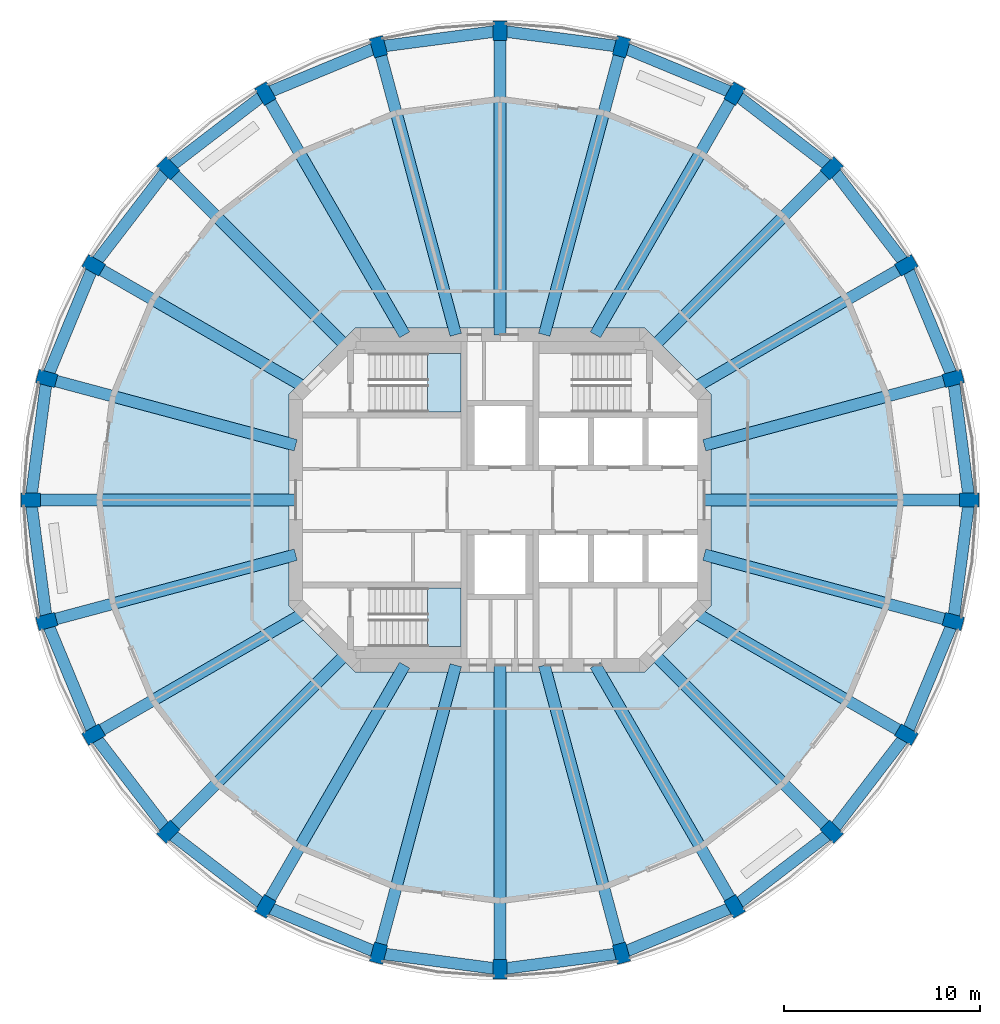
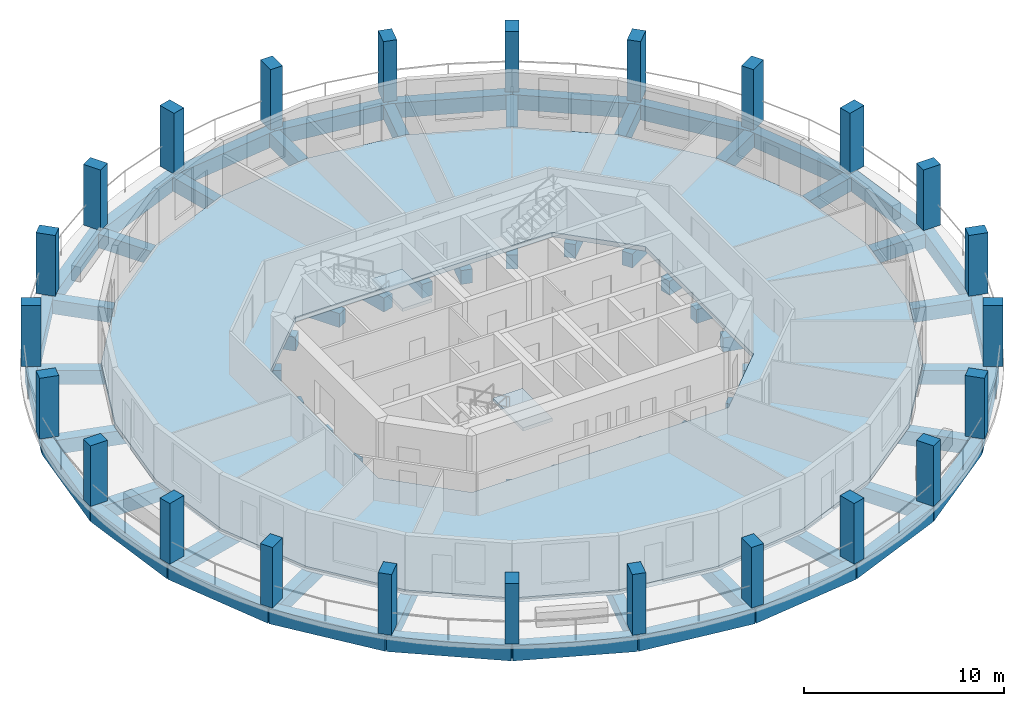
# One storey, part 1 of 9: 48 beams, 24 columns, 3 slabs, 2 elements without a shape of their own.
"""IFC4 building model written with IfcOpenShell, lengths in metres."""

from ifc_helpers import new_model, si_unit, direction, frame, origin, origin_2d, place, context, subcontext, project, spatial, polyline, rectangle, outline, extrude, material, layer, layer_set, material_profile, profile_set, type_object, element, aggregate, save


model = new_model("IFC4")

# Units and contexts
model_context = context("Model", 3, precision=1e-05, world=origin(), true_north=direction((0.0, 1.0)))
body_context = subcontext(model_context, "Body", "Model", "MODEL_VIEW")
ifc_project = project(units=[si_unit("LENGTHUNIT", "METRE"), si_unit("AREAUNIT", "SQUARE_METRE"), si_unit("VOLUMEUNIT", "CUBIC_METRE"), si_unit("PLANEANGLEUNIT", "RADIAN"), si_unit("MASSUNIT", "GRAM", prefix="KILO")], contexts=[model_context])

# Site, building, storey
site_placement = place(None, origin())
site = spatial("IfcSite", under=ifc_project, at=site_placement, CompositionType="ELEMENT")
building_placement = place(site_placement, origin())
building = spatial("IfcBuilding", under=site, at=building_placement, Name="Torre Triforio", CompositionType="ELEMENT")
storey_placement = place(building_placement, frame((0.0, 0.0, 226.10009765625)))
storey = spatial("IfcBuildingStorey", under=building, at=storey_placement, Name="L51", CompositionType="ELEMENT", Elevation=226.10009765625)

# Columns
ifc_material_1 = material(Name="Concrete C50", Category="concrete")
ifc_material_profile_1 = material_profile(ifc_material_1, rectangle(XDim=0.699951171875, YDim=1.0, at=origin_2d()), Name="RC 700x1000")
ifc_profile_set_1 = profile_set([ifc_material_profile_1], Name="Concrete C50")
column_type = type_object("IfcColumnType", Name="Pier RC 700x1000 C50", PredefinedType="COLUMN", material=ifc_profile_set_1)
for number, where, z_axis, x_axis, name in (
    (1, (24.0, 0.0, 0.0), (0.0, 0.0, 1.0), (0.0, 1.0, 0.0), "COL.R.L51.00"),
    (2, (23.18212890625, 6.211669921875, 0.0), (0.0, 0.0, 1.0), (-0.258819045103, 0.965925826289, 0.0), "COL.R.L51.01"),
    (3, (20.78466796875, 12.0, 0.0), (0.0, 0.0, 1.0), (-0.5, 0.866025403784, 0.0), "COL.R.L51.02"),
    (4, (16.970458984375, 16.970458984375, 0.0), (0.0, 0.0, 1.0), (-0.707106781187, 0.707106781187, 0.0), "COL.R.L51.03"),
    (5, (12.0, 20.78466796875, 0.0), (0.0, 0.0, 1.0), (-0.866025403784, 0.5, 0.0), "COL.R.L51.04"),
    (6, (6.211669921875, 23.18212890625, 0.0), (0.0, 0.0, 1.0), (-0.965925826289, 0.258819045103, 0.0), "COL.R.L51.05"),
    (7, (0.0, 24.0, 0.0), (0.0, 0.0, 1.0), (-1.0, 0.0, 0.0), "COL.R.L51.06"),
    (8, (-6.211669921875, 23.18212890625, 0.0), (0.0, 0.0, 1.0), (-0.965925826289, -0.258819045103, 0.0), "COL.R.L51.07"),
    (9, (-12.0, 20.78466796875, 0.0), (0.0, 0.0, 1.0), (-0.866025403784, -0.5, 0.0), "COL.R.L51.08"),
    (10, (-16.970458984375, 16.970458984375, 0.0), (0.0, 0.0, 1.0), (-0.707106781187, -0.707106781187, 0.0), "COL.R.L51.09"),
    (11, (-20.78466796875, 12.0, 0.0), (0.0, 0.0, 1.0), (-0.5, -0.866025403784, 0.0), "COL.R.L51.10"),
    (12, (-23.18212890625, 6.211669921875, 0.0), (0.0, 0.0, 1.0), (-0.258819045103, -0.965925826289, 0.0), "COL.R.L51.11"),
    (13, (-24.0, 0.0, 0.0), (0.0, 0.0, 1.0), (0.0, -1.0, 0.0), "COL.R.L51.12"),
    (14, (-23.18212890625, -6.211669921875, 0.0), (0.0, 0.0, 1.0), (0.258819045103, -0.965925826289, 0.0), "COL.R.L51.13"),
    (15, (-20.78466796875, -12.0, 0.0), (0.0, 0.0, 1.0), (0.5, -0.866025403784, 0.0), "COL.R.L51.14"),
    (16, (-16.970458984375, -16.970458984375, 0.0), (0.0, 0.0, 1.0), (0.707106781187, -0.707106781187, 0.0), "COL.R.L51.15"),
    (17, (-12.0, -20.78466796875, 0.0), (0.0, 0.0, 1.0), (0.866025403784, -0.5, 0.0), "COL.R.L51.16"),
    (18, (-6.211669921875, -23.18212890625, 0.0), (0.0, 0.0, 1.0), (0.965925826289, -0.258819045103, 0.0), "COL.R.L51.17"),
    (19, (0.0, -24.0, 0.0), (0.0, 0.0, 1.0), (1.0, 0.0, 0.0), "COL.R.L51.18"),
    (20, (6.211669921875, -23.18212890625, 0.0), (0.0, 0.0, 1.0), (0.965925826289, 0.258819045103, 0.0), "COL.R.L51.19"),
    (21, (12.0, -20.78466796875, 0.0), (0.0, 0.0, 1.0), (0.866025403784, 0.5, 0.0), "COL.R.L51.20"),
    (22, (16.970458984375, -16.970458984375, 0.0), (0.0, 0.0, 1.0), (0.707106781187, 0.707106781187, 0.0), "COL.R.L51.21"),
    (23, (20.78466796875, -12.0, 0.0), (0.0, 0.0, 1.0), (0.5, 0.866025403784, 0.0), "COL.R.L51.22"),
    (24, (23.18212890625, -6.211669921875, 0.0), (0.0, 0.0, 1.0), (0.258819045103, 0.965925826289, 0.0), "COL.R.L51.23"),
):
    element("IfcColumn", number, at=place(storey_placement, frame(where, z_axis=z_axis, x_axis=x_axis)), inside=storey, type_object=column_type, Name=name, PredefinedType="COLUMN", context=body_context, shape_type="SweptSolid", body=[
        extrude(rectangle(XDim=0.699951171875, YDim=1.0, at=origin_2d()), origin(), (0.0, 0.0, 1.0), 3.699951171875),
    ])

# Beams
ifc_material_2 = material(Name="Concrete C40", Category="concrete")
ifc_material_profile_2 = material_profile(ifc_material_2, rectangle(XDim=0.60009765625, YDim=0.85009765625, at=origin_2d()), Name="RC 600x850")
ifc_profile_set_2 = profile_set([ifc_material_profile_2], Name="Concrete C40")
beam_type_1 = type_object("IfcBeamType", Name="Radial beam RC 600x850 C40", PredefinedType="BEAM", material=ifc_profile_set_2)
beam_1_placement = place(storey_placement, frame((10.449951171875, 0.0, -0.705078125), z_axis=(1.0, 0.0, 0.0), x_axis=(0.0, 1.0, 0.0)))
element("IfcBeam", 25, at=beam_1_placement, inside=storey, type_object=beam_type_1, Name="BM.R.L51.00", PredefinedType="BEAM", context=body_context, shape_type="SweptSolid", body=[
    extrude(rectangle(XDim=0.60009765625, YDim=0.85009765625, at=origin_2d()), origin(), (0.0, 0.0, 1.0), 13.550048828125),
])
beam_2_placement = place(storey_placement, frame((10.449951171875, 2.800048828125, -0.705078125), z_axis=(0.965924985096, 0.258822184459, 0.0), x_axis=(-0.258822184459, 0.965924985096, 0.0)))
element("IfcBeam", 26, at=beam_2_placement, inside=storey, type_object=beam_type_1, Name="BM.R.L51.01", PredefinedType="BEAM", context=body_context, shape_type="SweptSolid", body=[
    extrude(rectangle(XDim=0.60009765625, YDim=0.85009765625, at=origin_2d()), origin(), (0.0, 0.0, 1.0), 13.181396484375),
])
beam_3_placement = place(storey_placement, frame((9.9501953125, 5.744873046875, -0.705078125), z_axis=(0.866030898433, 0.499990482869, 0.0), x_axis=(-0.499990482869, 0.866030898433, 0.0)))
element("IfcBeam", 27, at=beam_3_placement, inside=storey, type_object=beam_type_1, Name="BM.R.L51.02", PredefinedType="BEAM", context=body_context, shape_type="SweptSolid", body=[
    extrude(rectangle(XDim=0.60009765625, YDim=0.85009765625, at=origin_2d()), origin(), (0.0, 0.0, 1.0), 12.510498046875),
])
beam_4_placement = place(storey_placement, frame((7.847412109375, 7.847412109375, -0.705078125), z_axis=(0.707106781187, 0.707106781187, 0.0), x_axis=(-0.707106781187, 0.707106781187, 0.0)))
element("IfcBeam", 28, at=beam_4_placement, inside=storey, type_object=beam_type_1, Name="BM.R.L51.03", PredefinedType="BEAM", context=body_context, shape_type="SweptSolid", body=[
    extrude(rectangle(XDim=0.60009765625, YDim=0.85009765625, at=origin_2d()), origin(), (0.0, 0.0, 1.0), 12.90185546875),
])
beam_5_placement = place(storey_placement, frame((4.878662109375, 8.449951171875, -0.705078125), z_axis=(0.499993987895, 0.866028874847, 0.0), x_axis=(-0.866028874847, 0.499993987895, 0.0)))
element("IfcBeam", 29, at=beam_5_placement, inside=storey, type_object=beam_type_1, Name="BM.R.L51.04", PredefinedType="BEAM", context=body_context, shape_type="SweptSolid", body=[
    extrude(rectangle(XDim=0.60009765625, YDim=0.85009765625, at=origin_2d()), origin(), (0.0, 0.0, 1.0), 14.242919921875),
])
beam_6_placement = place(storey_placement, frame((2.26416015625, 8.449951171875, -0.705078125), z_axis=(0.258821164091, 0.965925258505, 0.0), x_axis=(-0.965925258505, 0.258821164091, 0.0)))
element("IfcBeam", 30, at=beam_6_placement, inside=storey, type_object=beam_type_1, Name="BM.R.L51.05", PredefinedType="BEAM", context=body_context, shape_type="SweptSolid", body=[
    extrude(rectangle(XDim=0.60009765625, YDim=0.85009765625, at=origin_2d()), origin(), (0.0, 0.0, 1.0), 15.251953125),
])
beam_7_placement = place(storey_placement, frame((0.0, 8.449951171875, -0.705078125), z_axis=(0.0, 1.0, 0.0), x_axis=(-1.0, 0.0, 0.0)))
element("IfcBeam", 31, at=beam_7_placement, inside=storey, type_object=beam_type_1, Name="BM.R.L51.06", PredefinedType="BEAM", context=body_context, shape_type="SweptSolid", body=[
    extrude(rectangle(XDim=0.60009765625, YDim=0.85009765625, at=origin_2d()), origin(), (0.0, 0.0, 1.0), 15.550048828125),
])
beam_8_placement = place(storey_placement, frame((-2.26416015625, 8.449951171875, -0.705078125), z_axis=(-0.258821164091, 0.965925258505, 0.0), x_axis=(-0.965925258505, -0.258821164091, 0.0)))
element("IfcBeam", 32, at=beam_8_placement, inside=storey, type_object=beam_type_1, Name="BM.R.L51.07", PredefinedType="BEAM", context=body_context, shape_type="SweptSolid", body=[
    extrude(rectangle(XDim=0.60009765625, YDim=0.85009765625, at=origin_2d()), origin(), (0.0, 0.0, 1.0), 15.251953125),
])
beam_9_placement = place(storey_placement, frame((-4.878662109375, 8.449951171875, -0.705078125), z_axis=(-0.499993987895, 0.866028874847, 0.0), x_axis=(-0.866028874847, -0.499993987895, 0.0)))
element("IfcBeam", 33, at=beam_9_placement, inside=storey, type_object=beam_type_1, Name="BM.R.L51.08", PredefinedType="BEAM", context=body_context, shape_type="SweptSolid", body=[
    extrude(rectangle(XDim=0.60009765625, YDim=0.85009765625, at=origin_2d()), origin(), (0.0, 0.0, 1.0), 14.242919921875),
])
beam_10_placement = place(storey_placement, frame((-7.847412109375, 7.847412109375, -0.705078125), z_axis=(-0.707106781187, 0.707106781187, 0.0), x_axis=(-0.707106781187, -0.707106781187, 0.0)))
element("IfcBeam", 34, at=beam_10_placement, inside=storey, type_object=beam_type_1, Name="BM.R.L51.09", PredefinedType="BEAM", context=body_context, shape_type="SweptSolid", body=[
    extrude(rectangle(XDim=0.60009765625, YDim=0.85009765625, at=origin_2d()), origin(), (0.0, 0.0, 1.0), 12.90185546875),
])
beam_11_placement = place(storey_placement, frame((-9.9501953125, 5.744873046875, -0.705078125), z_axis=(-0.866030898433, 0.499990482869, 0.0), x_axis=(-0.499990482869, -0.866030898433, 0.0)))
element("IfcBeam", 35, at=beam_11_placement, inside=storey, type_object=beam_type_1, Name="BM.R.L51.10", PredefinedType="BEAM", context=body_context, shape_type="SweptSolid", body=[
    extrude(rectangle(XDim=0.60009765625, YDim=0.85009765625, at=origin_2d()), origin(), (0.0, 0.0, 1.0), 12.510498046875),
])
beam_12_placement = place(storey_placement, frame((-10.449951171875, 2.800048828125, -0.705078125), z_axis=(-0.965924985096, 0.258822184459, 0.0), x_axis=(-0.258822184459, -0.965924985096, 0.0)))
element("IfcBeam", 36, at=beam_12_placement, inside=storey, type_object=beam_type_1, Name="BM.R.L51.11", PredefinedType="BEAM", context=body_context, shape_type="SweptSolid", body=[
    extrude(rectangle(XDim=0.60009765625, YDim=0.85009765625, at=origin_2d()), origin(), (0.0, 0.0, 1.0), 13.181396484375),
])
beam_13_placement = place(storey_placement, frame((-10.449951171875, 0.0, -0.705078125), z_axis=(-1.0, 0.0, 0.0), x_axis=(0.0, -1.0, 0.0)))
element("IfcBeam", 37, at=beam_13_placement, inside=storey, type_object=beam_type_1, Name="BM.R.L51.12", PredefinedType="BEAM", context=body_context, shape_type="SweptSolid", body=[
    extrude(rectangle(XDim=0.60009765625, YDim=0.85009765625, at=origin_2d()), origin(), (0.0, 0.0, 1.0), 13.550048828125),
])
beam_14_placement = place(storey_placement, frame((-10.449951171875, -2.800048828125, -0.705078125), z_axis=(-0.965924985096, -0.258822184459, 0.0), x_axis=(0.258822184459, -0.965924985096, 0.0)))
element("IfcBeam", 38, at=beam_14_placement, inside=storey, type_object=beam_type_1, Name="BM.R.L51.13", PredefinedType="BEAM", context=body_context, shape_type="SweptSolid", body=[
    extrude(rectangle(XDim=0.60009765625, YDim=0.85009765625, at=origin_2d()), origin(), (0.0, 0.0, 1.0), 13.181396484375),
])
beam_15_placement = place(storey_placement, frame((-9.9501953125, -5.744873046875, -0.705078125), z_axis=(-0.866030898433, -0.499990482869, 0.0), x_axis=(0.499990482869, -0.866030898433, 0.0)))
element("IfcBeam", 39, at=beam_15_placement, inside=storey, type_object=beam_type_1, Name="BM.R.L51.14", PredefinedType="BEAM", context=body_context, shape_type="SweptSolid", body=[
    extrude(rectangle(XDim=0.60009765625, YDim=0.85009765625, at=origin_2d()), origin(), (0.0, 0.0, 1.0), 12.510498046875),
])
beam_16_placement = place(storey_placement, frame((-7.847412109375, -7.847412109375, -0.705078125), z_axis=(-0.707106781187, -0.707106781187, 0.0), x_axis=(0.707106781187, -0.707106781187, 0.0)))
element("IfcBeam", 40, at=beam_16_placement, inside=storey, type_object=beam_type_1, Name="BM.R.L51.15", PredefinedType="BEAM", context=body_context, shape_type="SweptSolid", body=[
    extrude(rectangle(XDim=0.60009765625, YDim=0.85009765625, at=origin_2d()), origin(), (0.0, 0.0, 1.0), 12.90185546875),
])
beam_17_placement = place(storey_placement, frame((-4.878662109375, -8.449951171875, -0.705078125), z_axis=(-0.499993987895, -0.866028874847, 0.0), x_axis=(0.866028874847, -0.499993987895, 0.0)))
element("IfcBeam", 41, at=beam_17_placement, inside=storey, type_object=beam_type_1, Name="BM.R.L51.16", PredefinedType="BEAM", context=body_context, shape_type="SweptSolid", body=[
    extrude(rectangle(XDim=0.60009765625, YDim=0.85009765625, at=origin_2d()), origin(), (0.0, 0.0, 1.0), 14.242919921875),
])
beam_18_placement = place(storey_placement, frame((-2.26416015625, -8.449951171875, -0.705078125), z_axis=(-0.258821164091, -0.965925258505, 0.0), x_axis=(0.965925258505, -0.258821164091, 0.0)))
element("IfcBeam", 42, at=beam_18_placement, inside=storey, type_object=beam_type_1, Name="BM.R.L51.17", PredefinedType="BEAM", context=body_context, shape_type="SweptSolid", body=[
    extrude(rectangle(XDim=0.60009765625, YDim=0.85009765625, at=origin_2d()), origin(), (0.0, 0.0, 1.0), 15.251953125),
])
beam_19_placement = place(storey_placement, frame((0.0, -8.449951171875, -0.705078125), z_axis=(0.0, -1.0, 0.0), x_axis=(1.0, 0.0, 0.0)))
element("IfcBeam", 43, at=beam_19_placement, inside=storey, type_object=beam_type_1, Name="BM.R.L51.18", PredefinedType="BEAM", context=body_context, shape_type="SweptSolid", body=[
    extrude(rectangle(XDim=0.60009765625, YDim=0.85009765625, at=origin_2d()), origin(), (0.0, 0.0, 1.0), 15.550048828125),
])
beam_20_placement = place(storey_placement, frame((2.26416015625, -8.449951171875, -0.705078125), z_axis=(0.258821164091, -0.965925258505, 0.0), x_axis=(0.965925258505, 0.258821164091, 0.0)))
element("IfcBeam", 44, at=beam_20_placement, inside=storey, type_object=beam_type_1, Name="BM.R.L51.19", PredefinedType="BEAM", context=body_context, shape_type="SweptSolid", body=[
    extrude(rectangle(XDim=0.60009765625, YDim=0.85009765625, at=origin_2d()), origin(), (0.0, 0.0, 1.0), 15.251953125),
])
beam_21_placement = place(storey_placement, frame((4.878662109375, -8.449951171875, -0.705078125), z_axis=(0.499993987895, -0.866028874847, 0.0), x_axis=(0.866028874847, 0.499993987895, 0.0)))
element("IfcBeam", 45, at=beam_21_placement, inside=storey, type_object=beam_type_1, Name="BM.R.L51.20", PredefinedType="BEAM", context=body_context, shape_type="SweptSolid", body=[
    extrude(rectangle(XDim=0.60009765625, YDim=0.85009765625, at=origin_2d()), origin(), (0.0, 0.0, 1.0), 14.242919921875),
])
beam_22_placement = place(storey_placement, frame((7.847412109375, -7.847412109375, -0.705078125), z_axis=(0.707106781187, -0.707106781187, 0.0), x_axis=(0.707106781187, 0.707106781187, 0.0)))
element("IfcBeam", 46, at=beam_22_placement, inside=storey, type_object=beam_type_1, Name="BM.R.L51.21", PredefinedType="BEAM", context=body_context, shape_type="SweptSolid", body=[
    extrude(rectangle(XDim=0.60009765625, YDim=0.85009765625, at=origin_2d()), origin(), (0.0, 0.0, 1.0), 12.90185546875),
])
beam_23_placement = place(storey_placement, frame((9.9501953125, -5.744873046875, -0.705078125), z_axis=(0.866030898433, -0.499990482869, 0.0), x_axis=(0.499990482869, 0.866030898433, 0.0)))
element("IfcBeam", 47, at=beam_23_placement, inside=storey, type_object=beam_type_1, Name="BM.R.L51.22", PredefinedType="BEAM", context=body_context, shape_type="SweptSolid", body=[
    extrude(rectangle(XDim=0.60009765625, YDim=0.85009765625, at=origin_2d()), origin(), (0.0, 0.0, 1.0), 12.510498046875),
])
beam_24_placement = place(storey_placement, frame((10.449951171875, -2.800048828125, -0.705078125), z_axis=(0.965924985096, -0.258822184459, 0.0), x_axis=(0.258822184459, 0.965924985096, 0.0)))
element("IfcBeam", 48, at=beam_24_placement, inside=storey, type_object=beam_type_1, Name="BM.R.L51.23", PredefinedType="BEAM", context=body_context, shape_type="SweptSolid", body=[
    extrude(rectangle(XDim=0.60009765625, YDim=0.85009765625, at=origin_2d()), origin(), (0.0, 0.0, 1.0), 13.181396484375),
])
ifc_material_profile_3 = material_profile(ifc_material_2, rectangle(XDim=0.60009765625, YDim=0.89990234375, at=origin_2d()), Name="RC 600x900")
ifc_profile_set_3 = profile_set([ifc_material_profile_3], Name="Concrete C40")
beam_type_2 = type_object("IfcBeamType", Name="Spandrel beam RC 600x900 C40", PredefinedType="SPANDREL", material=ifc_profile_set_3)
beam_25_placement = place(storey_placement, frame((24.0, 0.0, -0.72998046875), z_axis=(-0.130540192224, 0.991443018138, 0.0), x_axis=(-0.991443018138, -0.130540192224, 0.0)))
element("IfcBeam", 49, at=beam_25_placement, inside=storey, type_object=beam_type_2, Name="BM.S.L51.00", PredefinedType="SPANDREL", context=body_context, shape_type="SweptSolid", body=[
    extrude(rectangle(XDim=0.60009765625, YDim=0.89990234375, at=origin_2d()), origin(), (0.0, 0.0, 1.0), 6.265380859375),
])
beam_26_placement = place(storey_placement, frame((23.18212890625, 6.211669921875, -0.72998046875), z_axis=(-0.382663829839, 0.9238876519, 0.0), x_axis=(-0.9238876519, -0.382663829839, 0.0)))
element("IfcBeam", 50, at=beam_26_placement, inside=storey, type_object=beam_type_2, Name="BM.S.L51.01", PredefinedType="SPANDREL", context=body_context, shape_type="SweptSolid", body=[
    extrude(rectangle(XDim=0.60009765625, YDim=0.89990234375, at=origin_2d()), origin(), (0.0, 0.0, 1.0), 6.26513671875),
])
for number, where, z_axis, x_axis, name in (
    (51, (20.78466796875, 12.0, -0.72998046875), (-0.608785706196, 0.79333471116, 0.0), (-0.79333471116, -0.608785706196, 0.0), "BM.S.L51.02"),
    (52, (16.970458984375, 16.970458984375, -0.72998046875), (-0.79333471116, 0.608785706196, 0.0), (-0.608785706196, -0.79333471116, 0.0), "BM.S.L51.03"),
):
    element("IfcBeam", number, at=place(storey_placement, frame(where, z_axis=z_axis, x_axis=x_axis)), inside=storey, type_object=beam_type_2, Name=name, PredefinedType="SPANDREL", context=body_context, shape_type="SweptSolid", body=[
        extrude(rectangle(XDim=0.60009765625, YDim=0.89990234375, at=origin_2d()), origin(), (0.0, 0.0, 1.0), 6.265380859375),
    ])
beam_27_placement = place(storey_placement, frame((12.0, 20.78466796875, -0.72998046875), z_axis=(-0.9238876519, 0.382663829839, 0.0), x_axis=(-0.382663829839, -0.9238876519, 0.0)))
element("IfcBeam", 53, at=beam_27_placement, inside=storey, type_object=beam_type_2, Name="BM.S.L51.04", PredefinedType="SPANDREL", context=body_context, shape_type="SweptSolid", body=[
    extrude(rectangle(XDim=0.60009765625, YDim=0.89990234375, at=origin_2d()), origin(), (0.0, 0.0, 1.0), 6.26513671875),
])
for number, where, z_axis, x_axis, name in (
    (54, (6.211669921875, 23.18212890625, -0.72998046875), (-0.991443018138, 0.130540192224, 0.0), (-0.130540192224, -0.991443018138, 0.0), "BM.S.L51.05"),
    (55, (0.0, 24.0, -0.72998046875), (-0.991443018138, -0.130540192224, 0.0), (0.130540192224, -0.991443018138, 0.0), "BM.S.L51.06"),
):
    element("IfcBeam", number, at=place(storey_placement, frame(where, z_axis=z_axis, x_axis=x_axis)), inside=storey, type_object=beam_type_2, Name=name, PredefinedType="SPANDREL", context=body_context, shape_type="SweptSolid", body=[
        extrude(rectangle(XDim=0.60009765625, YDim=0.89990234375, at=origin_2d()), origin(), (0.0, 0.0, 1.0), 6.265380859375),
    ])
beam_28_placement = place(storey_placement, frame((-6.211669921875, 23.18212890625, -0.72998046875), z_axis=(-0.9238876519, -0.382663829839, 0.0), x_axis=(0.382663829839, -0.9238876519, 0.0)))
element("IfcBeam", 56, at=beam_28_placement, inside=storey, type_object=beam_type_2, Name="BM.S.L51.07", PredefinedType="SPANDREL", context=body_context, shape_type="SweptSolid", body=[
    extrude(rectangle(XDim=0.60009765625, YDim=0.89990234375, at=origin_2d()), origin(), (0.0, 0.0, 1.0), 6.26513671875),
])
for number, where, z_axis, x_axis, name in (
    (57, (-12.0, 20.78466796875, -0.72998046875), (-0.79333471116, -0.608785706196, 0.0), (0.608785706196, -0.79333471116, 0.0), "BM.S.L51.08"),
    (58, (-16.970458984375, 16.970458984375, -0.72998046875), (-0.608785706196, -0.79333471116, 0.0), (0.79333471116, -0.608785706196, 0.0), "BM.S.L51.09"),
):
    element("IfcBeam", number, at=place(storey_placement, frame(where, z_axis=z_axis, x_axis=x_axis)), inside=storey, type_object=beam_type_2, Name=name, PredefinedType="SPANDREL", context=body_context, shape_type="SweptSolid", body=[
        extrude(rectangle(XDim=0.60009765625, YDim=0.89990234375, at=origin_2d()), origin(), (0.0, 0.0, 1.0), 6.265380859375),
    ])
beam_29_placement = place(storey_placement, frame((-20.78466796875, 12.0, -0.72998046875), z_axis=(-0.382663829839, -0.9238876519, 0.0), x_axis=(0.9238876519, -0.382663829839, 0.0)))
element("IfcBeam", 59, at=beam_29_placement, inside=storey, type_object=beam_type_2, Name="BM.S.L51.10", PredefinedType="SPANDREL", context=body_context, shape_type="SweptSolid", body=[
    extrude(rectangle(XDim=0.60009765625, YDim=0.89990234375, at=origin_2d()), origin(), (0.0, 0.0, 1.0), 6.26513671875),
])
for number, where, z_axis, x_axis, name in (
    (60, (-23.18212890625, 6.211669921875, -0.72998046875), (-0.130540192224, -0.991443018138, 0.0), (0.991443018138, -0.130540192224, 0.0), "BM.S.L51.11"),
    (61, (-24.0, 0.0, -0.72998046875), (0.130540192224, -0.991443018138, 0.0), (0.991443018138, 0.130540192224, 0.0), "BM.S.L51.12"),
):
    element("IfcBeam", number, at=place(storey_placement, frame(where, z_axis=z_axis, x_axis=x_axis)), inside=storey, type_object=beam_type_2, Name=name, PredefinedType="SPANDREL", context=body_context, shape_type="SweptSolid", body=[
        extrude(rectangle(XDim=0.60009765625, YDim=0.89990234375, at=origin_2d()), origin(), (0.0, 0.0, 1.0), 6.265380859375),
    ])
beam_30_placement = place(storey_placement, frame((-23.18212890625, -6.211669921875, -0.72998046875), z_axis=(0.382663829839, -0.9238876519, 0.0), x_axis=(0.9238876519, 0.382663829839, 0.0)))
element("IfcBeam", 62, at=beam_30_placement, inside=storey, type_object=beam_type_2, Name="BM.S.L51.13", PredefinedType="SPANDREL", context=body_context, shape_type="SweptSolid", body=[
    extrude(rectangle(XDim=0.60009765625, YDim=0.89990234375, at=origin_2d()), origin(), (0.0, 0.0, 1.0), 6.26513671875),
])
for number, where, z_axis, x_axis, name in (
    (63, (-20.78466796875, -12.0, -0.72998046875), (0.608785706196, -0.79333471116, 0.0), (0.79333471116, 0.608785706196, 0.0), "BM.S.L51.14"),
    (64, (-16.970458984375, -16.970458984375, -0.72998046875), (0.79333471116, -0.608785706196, 0.0), (0.608785706196, 0.79333471116, 0.0), "BM.S.L51.15"),
):
    element("IfcBeam", number, at=place(storey_placement, frame(where, z_axis=z_axis, x_axis=x_axis)), inside=storey, type_object=beam_type_2, Name=name, PredefinedType="SPANDREL", context=body_context, shape_type="SweptSolid", body=[
        extrude(rectangle(XDim=0.60009765625, YDim=0.89990234375, at=origin_2d()), origin(), (0.0, 0.0, 1.0), 6.265380859375),
    ])
beam_31_placement = place(storey_placement, frame((-12.0, -20.78466796875, -0.72998046875), z_axis=(0.9238876519, -0.382663829839, 0.0), x_axis=(0.382663829839, 0.9238876519, 0.0)))
element("IfcBeam", 65, at=beam_31_placement, inside=storey, type_object=beam_type_2, Name="BM.S.L51.16", PredefinedType="SPANDREL", context=body_context, shape_type="SweptSolid", body=[
    extrude(rectangle(XDim=0.60009765625, YDim=0.89990234375, at=origin_2d()), origin(), (0.0, 0.0, 1.0), 6.26513671875),
])
for number, where, z_axis, x_axis, name in (
    (66, (-6.211669921875, -23.18212890625, -0.72998046875), (0.991443018138, -0.130540192224, 0.0), (0.130540192224, 0.991443018138, 0.0), "BM.S.L51.17"),
    (67, (0.0, -24.0, -0.72998046875), (0.991443018138, 0.130540192224, 0.0), (-0.130540192224, 0.991443018138, 0.0), "BM.S.L51.18"),
):
    element("IfcBeam", number, at=place(storey_placement, frame(where, z_axis=z_axis, x_axis=x_axis)), inside=storey, type_object=beam_type_2, Name=name, PredefinedType="SPANDREL", context=body_context, shape_type="SweptSolid", body=[
        extrude(rectangle(XDim=0.60009765625, YDim=0.89990234375, at=origin_2d()), origin(), (0.0, 0.0, 1.0), 6.265380859375),
    ])
beam_32_placement = place(storey_placement, frame((6.211669921875, -23.18212890625, -0.72998046875), z_axis=(0.9238876519, 0.382663829839, 0.0), x_axis=(-0.382663829839, 0.9238876519, 0.0)))
element("IfcBeam", 68, at=beam_32_placement, inside=storey, type_object=beam_type_2, Name="BM.S.L51.19", PredefinedType="SPANDREL", context=body_context, shape_type="SweptSolid", body=[
    extrude(rectangle(XDim=0.60009765625, YDim=0.89990234375, at=origin_2d()), origin(), (0.0, 0.0, 1.0), 6.26513671875),
])
for number, where, z_axis, x_axis, name in (
    (69, (12.0, -20.78466796875, -0.72998046875), (0.79333471116, 0.608785706196, 0.0), (-0.608785706196, 0.79333471116, 0.0), "BM.S.L51.20"),
    (70, (16.970458984375, -16.970458984375, -0.72998046875), (0.608785706196, 0.79333471116, 0.0), (-0.79333471116, 0.608785706196, 0.0), "BM.S.L51.21"),
):
    element("IfcBeam", number, at=place(storey_placement, frame(where, z_axis=z_axis, x_axis=x_axis)), inside=storey, type_object=beam_type_2, Name=name, PredefinedType="SPANDREL", context=body_context, shape_type="SweptSolid", body=[
        extrude(rectangle(XDim=0.60009765625, YDim=0.89990234375, at=origin_2d()), origin(), (0.0, 0.0, 1.0), 6.265380859375),
    ])
beam_33_placement = place(storey_placement, frame((20.78466796875, -12.0, -0.72998046875), z_axis=(0.382663829839, 0.9238876519, 0.0), x_axis=(-0.9238876519, 0.382663829839, 0.0)))
element("IfcBeam", 71, at=beam_33_placement, inside=storey, type_object=beam_type_2, Name="BM.S.L51.22", PredefinedType="SPANDREL", context=body_context, shape_type="SweptSolid", body=[
    extrude(rectangle(XDim=0.60009765625, YDim=0.89990234375, at=origin_2d()), origin(), (0.0, 0.0, 1.0), 6.26513671875),
])
beam_34_placement = place(storey_placement, frame((23.18212890625, -6.211669921875, -0.72998046875), z_axis=(0.130540192224, 0.991443018138, 0.0), x_axis=(-0.991443018138, 0.130540192224, 0.0)))
element("IfcBeam", 72, at=beam_34_placement, inside=storey, type_object=beam_type_2, Name="BM.S.L51.23", PredefinedType="SPANDREL", context=body_context, shape_type="SweptSolid", body=[
    extrude(rectangle(XDim=0.60009765625, YDim=0.89990234375, at=origin_2d()), origin(), (0.0, 0.0, 1.0), 6.265380859375),
])

# Slab
ifc_layer_1 = layer(ifc_material_2, 0.280029296875)
ifc_layer_set_1 = layer_set([ifc_layer_1], Name="Concrete C40")
slab_type_1 = type_object("IfcSlabType", Name="Floor slab 280 C40", PredefinedType="FLOOR", material=ifc_layer_set_1)
slab_1_placement = place(storey_placement, frame((0.0, 0.0, -0.280029296875)))
element("IfcSlab", 73, at=slab_1_placement, inside=storey, type_object=slab_type_1, Name="SL.L51", PredefinedType="FLOOR", context=body_context, shape_type="SweptSolid", body=[
    extrude(outline(polyline([(17.75341796875, -10.25), (19.801513671875, -5.305908203125), (20.5, 0.0), (19.801513671875, 5.305908203125), (17.75341796875, 10.25), (14.49560546875, 14.49560546875), (10.25, 17.75341796875), (5.305908203125, 19.801513671875), (0.0, 20.5), (-5.305908203125, 19.801513671875), (-10.25, 17.75341796875), (-14.49560546875, 14.49560546875), (-17.75341796875, 10.25), (-19.801513671875, 5.305908203125), (-20.5, 0.0), (-19.801513671875, -5.305908203125), (-17.75341796875, -10.25), (-14.49560546875, -14.49560546875), (-10.25, -17.75341796875), (-5.305908203125, -19.801513671875), (0.0, -20.5), (5.305908203125, -19.801513671875), (10.25, -17.75341796875), (14.49560546875, -14.49560546875), (17.75341796875, -10.25)]), holes=[polyline([(10.800048828125, 5.389892578125), (10.800048828125, -5.389892578125), (7.389892578125, -8.800048828125), (-7.389892578125, -8.800048828125), (-10.800048828125, -5.389892578125), (-10.800048828125, 5.389892578125), (-7.389892578125, 8.800048828125), (7.389892578125, 8.800048828125), (10.800048828125, 5.389892578125)])]), origin(), (0.0, 0.0, 1.0), 0.280029296875),
])

# Stair, slab
stair_type = type_object("IfcStairType", Name="STAIR HALF-TURN", PredefinedType="HALF_TURN_STAIR", material=ifc_material_2)
stair_1_placement = place(storey_placement, origin())
stair_1 = element("IfcStair", 74, at=stair_1_placement, inside=storey, type_object=stair_type, Name="Exit stair 1", PredefinedType="HALF_TURN_STAIR")
ifc_layer_2 = layer(ifc_material_2, 0.199951171875)
ifc_layer_set_2 = layer_set([ifc_layer_2], Name="Concrete C40")
slab_type_2 = type_object("IfcSlabType", Name="STAIR LANDING 200", PredefinedType="LANDING", material=ifc_layer_set_2)
slab_2_placement = place(storey_placement, frame((0.0, 0.0, 1.64990234375)))
slab_2 = element("IfcSlab", 75, at=slab_2_placement, type_object=slab_type_2, Name="ST1 landing 1", PredefinedType="LANDING", context=body_context, shape_type="SweptSolid", body=[
    extrude(outline(polyline([(-2.0, 4.5), (-2.0, 7.5), (-3.699951171875, 7.5), (-3.699951171875, 4.5), (-2.0, 4.5)])), origin(), (0.0, 0.0, 1.0), 0.199951171875),
])
aggregate(stair_1, [slab_2])

stair_2_placement = place(storey_placement, origin())
stair_2 = element("IfcStair", 76, at=stair_2_placement, inside=storey, type_object=stair_type, Name="Exit stair 3", PredefinedType="HALF_TURN_STAIR")
slab_3_placement = place(storey_placement, frame((0.0, 0.0, 1.64990234375)))
slab_3 = element("IfcSlab", 77, at=slab_3_placement, type_object=slab_type_2, Name="ST3 landing 1", PredefinedType="LANDING", context=body_context, shape_type="SweptSolid", body=[
    extrude(outline(polyline([(-2.0, -7.5), (-2.0, -4.5), (-3.699951171875, -4.5), (-3.699951171875, -7.5), (-2.0, -7.5)])), origin(), (0.0, 0.0, 1.0), 0.199951171875),
])
aggregate(stair_2, [slab_3])

save(model, "model.ifc")
